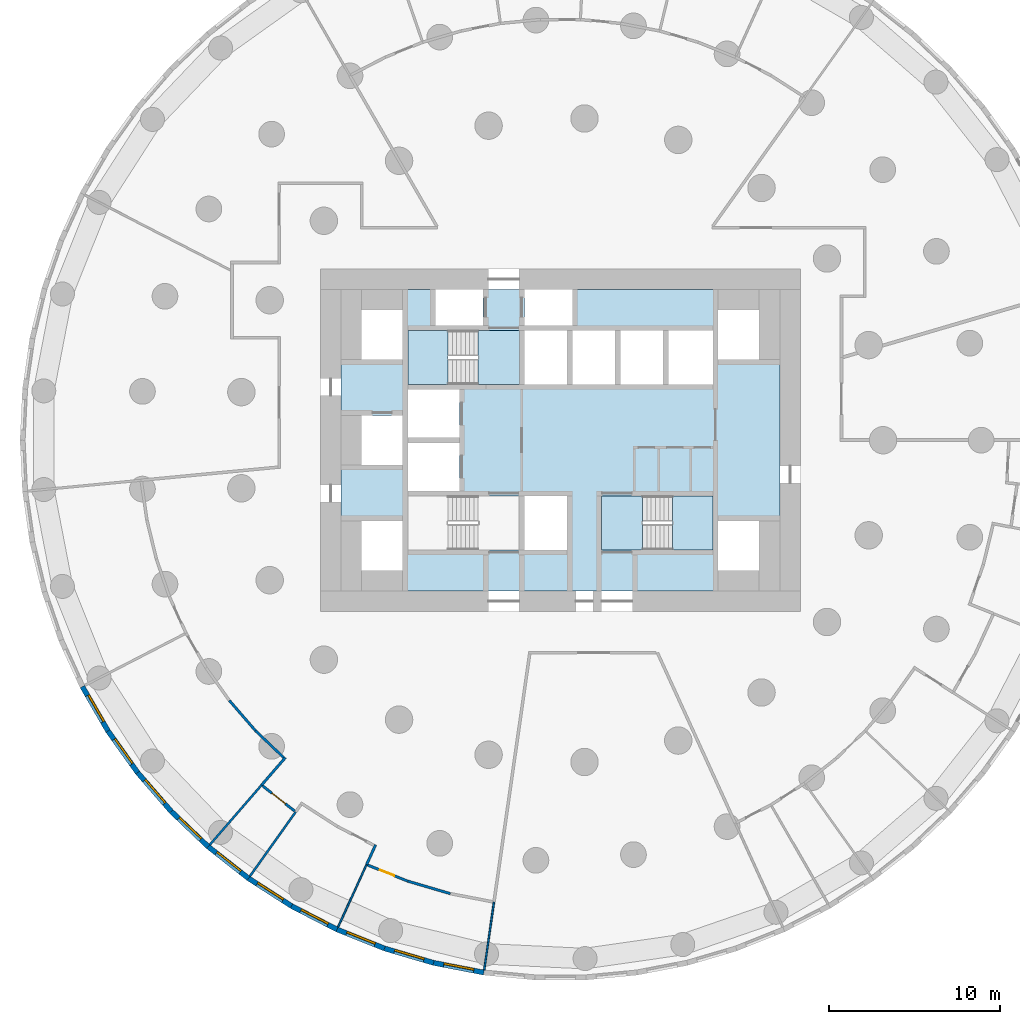
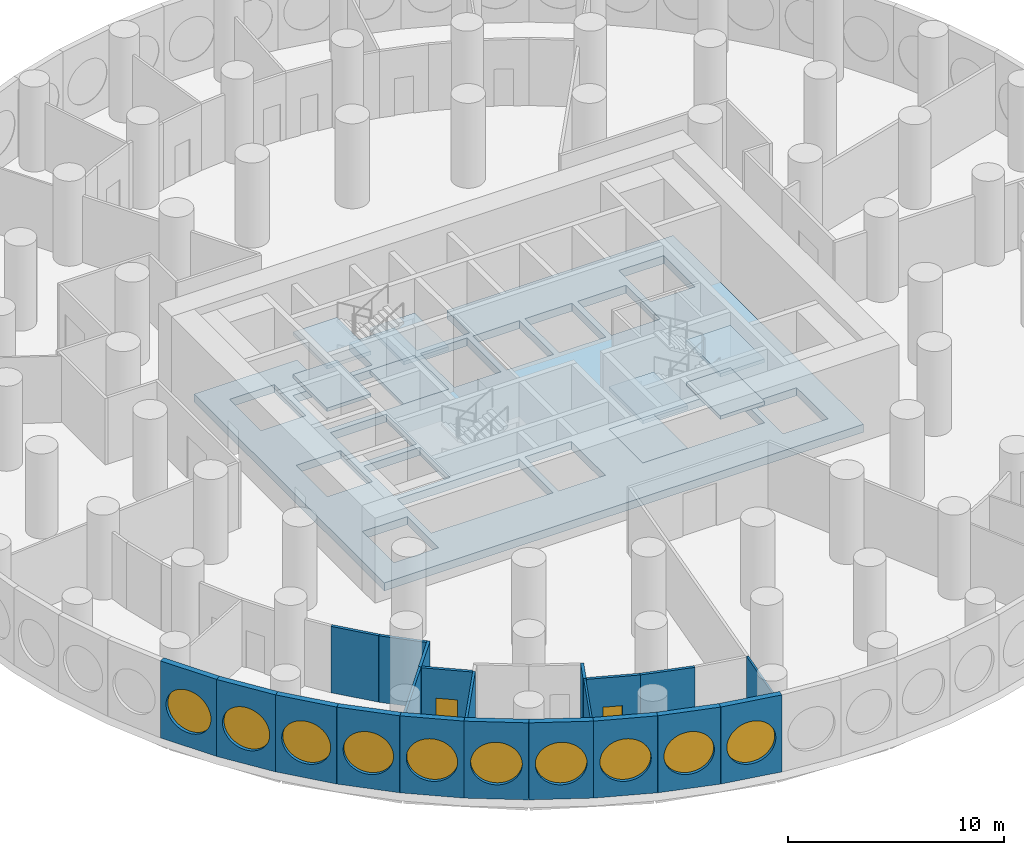
# One storey, part 2 of 11: 21 walls, 10 windows, 9 slabs, 2 doors, 12 openings, 2 elements without a shape of their own.
"""IFC4 building model written with IfcOpenShell, lengths in metres."""

from ifc_helpers import new_model, si_unit, direction, frame, frame_2d, origin, origin_2d, place, context, subcontext, project, spatial, polyline, rectangle, circle, outline, extrude, material, layer, layer_set, type_object, element, fill, aggregate, save


model = new_model("IFC4")

# Units and contexts
model_context = context("Model", 3, precision=1e-05, world=origin(), true_north=direction((0.0, 1.0)))
body_context = subcontext(model_context, "Body", "Model", "MODEL_VIEW")
ifc_project = project(units=[si_unit("LENGTHUNIT", "METRE"), si_unit("AREAUNIT", "SQUARE_METRE"), si_unit("VOLUMEUNIT", "CUBIC_METRE"), si_unit("PLANEANGLEUNIT", "RADIAN"), si_unit("MASSUNIT", "GRAM", prefix="KILO")], contexts=[model_context])

# Site, building, storey
site_placement = place(None, origin())
site = spatial("IfcSite", under=ifc_project, at=site_placement, CompositionType="ELEMENT")
building_placement = place(site_placement, origin())
building = spatial("IfcBuilding", under=site, at=building_placement, Name="Tracery Tower", CompositionType="ELEMENT")
storey_placement = place(building_placement, frame((0.0, 0.0, 18.60009765625)))
storey = spatial("IfcBuildingStorey", under=building, at=storey_placement, Name="L03", CompositionType="ELEMENT", Elevation=18.60009765625)

# Slabs
ifc_material_1 = material(Name="Concrete C60/75", Category="concrete")
ifc_layer_1 = layer(ifc_material_1, 0.449951171875)
ifc_layer_set_1 = layer_set([ifc_layer_1], Name="Core floor slab 450 C60")
slab_type_1 = type_object("IfcSlabType", Name="Core floor slab 450 C60", PredefinedType="FLOOR", material=ifc_layer_set_1)
slab_1_placement = place(storey_placement, frame((0.0, 0.0, -0.4501953125)))
element("IfcSlab", 1, at=slab_1_placement, inside=storey, type_object=slab_type_1, Name="L03 core floor 1", PredefinedType="FLOOR", context=body_context, shape_type="SweptSolid", body=[
    extrude(outline(polyline([(-12.800048828125, 8.800048828125), (-7.300048828125, 8.800048828125), (-7.300048828125, 6.699951171875), (-4.5, 6.699951171875), (-4.5, 8.800048828125), (-2.10009765625, 8.800048828125), (-2.10009765625, 6.699951171875), (0.699951171875, 6.699951171875), (0.699951171875, 8.800048828125), (12.800048828125, 8.800048828125), (12.800048828125, -8.800048828125), (-12.800048828125, -8.800048828125), (-12.800048828125, 8.800048828125)]), holes=[polyline([(11.60009765625, -7.60009765625), (11.60009765625, -4.699951171875), (9.199951171875, -4.699951171875), (9.199951171875, -7.60009765625), (11.60009765625, -7.60009765625)]), polyline([(11.60009765625, 4.699951171875), (11.60009765625, 7.60009765625), (9.199951171875, 7.60009765625), (9.199951171875, 4.699951171875), (11.60009765625, 4.699951171875)]), polyline([(2.39990234375, -6.39990234375), (8.89990234375, -6.39990234375), (8.89990234375, -3.25), (2.39990234375, -3.25), (2.39990234375, -6.39990234375)]), polyline([(6.300048828125, 3.25), (8.89990234375, 3.25), (8.89990234375, 6.39990234375), (6.300048828125, 6.39990234375), (6.300048828125, 3.25)]), polyline([(3.5, 3.25), (6.0, 3.25), (6.0, 6.39990234375), (3.5, 6.39990234375), (3.5, 3.25)]), polyline([(3.199951171875, 3.25), (3.199951171875, 6.39990234375), (0.699951171875, 6.39990234375), (0.699951171875, 3.25), (3.199951171875, 3.25)]), polyline([(-2.10009765625, 3.25), (0.39990234375, 3.25), (0.39990234375, 6.39990234375), (-2.10009765625, 6.39990234375), (-2.10009765625, 3.25)]), polyline([(0.39990234375, -6.39990234375), (0.39990234375, -3.25), (-2.10009765625, -3.25), (-2.10009765625, -6.39990234375), (0.39990234375, -6.39990234375)]), polyline([(-2.39990234375, -6.39990234375), (-2.39990234375, -3.25), (-8.89990234375, -3.25), (-8.89990234375, -6.39990234375), (-2.39990234375, -6.39990234375)]), polyline([(-2.39990234375, 3.25), (-2.39990234375, 6.39990234375), (-8.89990234375, 6.39990234375), (-8.89990234375, 3.25), (-2.39990234375, 3.25)]), polyline([(-8.89990234375, -2.949951171875), (-5.89990234375, -2.949951171875), (-5.89990234375, -0.14990234375), (-8.89990234375, -0.14990234375), (-8.89990234375, -2.949951171875)]), polyline([(-5.89990234375, 0.14990234375), (-5.89990234375, 2.949951171875), (-8.89990234375, 2.949951171875), (-8.89990234375, 0.14990234375), (-5.89990234375, 0.14990234375)]), polyline([(-11.60009765625, 4.699951171875), (-9.199951171875, 4.699951171875), (-9.199951171875, 7.60009765625), (-11.60009765625, 7.60009765625), (-11.60009765625, 4.699951171875)]), polyline([(-9.199951171875, -7.60009765625), (-9.199951171875, -4.699951171875), (-11.60009765625, -4.699951171875), (-11.60009765625, -7.60009765625), (-9.199951171875, -7.60009765625)]), polyline([(-9.199951171875, -1.449951171875), (-9.199951171875, 1.449951171875), (-11.60009765625, 1.449951171875), (-11.60009765625, -1.449951171875), (-9.199951171875, -1.449951171875)])]), origin(), (0.0, 0.0, 1.0), 0.4501953125),
])
ifc_material_2 = material(Name="Concrete C32/40", Category="concrete")
ifc_layer_2 = layer(ifc_material_2, 0.199951171875)
ifc_layer_set_2 = layer_set([ifc_layer_2], Name="Stair landing slab 200")
slab_type_2 = type_object("IfcSlabType", Name="Stair landing slab 200", PredefinedType="LANDING", material=ifc_layer_set_2)
slab_2_placement = place(storey_placement, frame((0.0, 0.0, -0.2001953125)))
element("IfcSlab", 2, at=slab_2_placement, inside=storey, type_object=slab_type_2, Name="L03 stair ST3 floor landing", PredefinedType="LANDING", context=body_context, shape_type="SweptSolid", body=[
    extrude(outline(polyline([(-2.39990234375, 6.39990234375), (-4.800537109375, 6.39990234375), (-4.800537109375, 3.25), (-2.39990234375, 3.25), (-2.39990234375, 6.39990234375)])), origin(), (0.0, 0.0, 1.0), 0.2001953125),
])
slab_3_placement = place(storey_placement, frame((0.0, 0.0, -0.2001953125)))
element("IfcSlab", 3, at=slab_3_placement, inside=storey, type_object=slab_type_2, Name="L03 stair ST2 floor landing", PredefinedType="LANDING", context=body_context, shape_type="SweptSolid", body=[
    extrude(outline(polyline([(2.39990234375, -6.39990234375), (4.800537109375, -6.39990234375), (4.800537109375, -3.25), (2.39990234375, -3.25), (2.39990234375, -6.39990234375)])), origin(), (0.0, 0.0, 1.0), 0.2001953125),
])

# Stair, slabs
ifc_material_3 = material(Name="Concrete C32/40", Category="concrete")
stair_type = type_object("IfcStairType", Name="Core stair 32 risers", PredefinedType="HALF_TURN_STAIR", material=ifc_material_3)
stair_1_placement = place(storey_placement, origin())
stair_1 = element("IfcStair", 4, at=stair_1_placement, inside=storey, type_object=stair_type, Name="L03 stair ST3", PredefinedType="HALF_TURN_STAIR")
slab_4_placement = place(storey_placement, frame((0.0, 0.0, 1.0)))
slab_4 = element("IfcSlab", 5, at=slab_4_placement, type_object=slab_type_2, Name="ST3 landing 1", PredefinedType="LANDING", context=body_context, shape_type="SweptSolid", body=[
    extrude(outline(polyline([(-6.54931640625, 6.39990234375), (-8.89990234375, 6.39990234375), (-8.89990234375, 3.25), (-6.54931640625, 3.25), (-6.54931640625, 6.39990234375)])), origin(), (0.0, 0.0, 1.0), 0.199951171875),
])
slab_5_placement = place(storey_placement, frame((0.0, 0.0, 2.199951171875)))
slab_5 = element("IfcSlab", 6, at=slab_5_placement, type_object=slab_type_2, Name="ST3 landing 2", PredefinedType="LANDING", context=body_context, shape_type="SweptSolid", body=[
    extrude(outline(polyline([(-2.39990234375, 6.39990234375), (-4.800537109375, 6.39990234375), (-4.800537109375, 3.25), (-2.39990234375, 3.25), (-2.39990234375, 6.39990234375)])), origin(), (0.0, 0.0, 1.0), 0.199951171875),
])
slab_6_placement = place(storey_placement, frame((0.0, 0.0, 3.39990234375)))
slab_6 = element("IfcSlab", 7, at=slab_6_placement, type_object=slab_type_2, Name="ST3 landing 3", PredefinedType="LANDING", context=body_context, shape_type="SweptSolid", body=[
    extrude(outline(polyline([(-6.54931640625, 6.39990234375), (-8.89990234375, 6.39990234375), (-8.89990234375, 3.25), (-6.54931640625, 3.25), (-6.54931640625, 6.39990234375)])), origin(), (0.0, 0.0, 1.0), 0.199951171875),
])
aggregate(stair_1, [slab_4, slab_5, slab_6])

stair_2_placement = place(storey_placement, origin())
stair_2 = element("IfcStair", 8, at=stair_2_placement, inside=storey, type_object=stair_type, Name="L03 stair ST2", PredefinedType="HALF_TURN_STAIR")
slab_7_placement = place(storey_placement, frame((0.0, 0.0, 1.0)))
slab_7 = element("IfcSlab", 9, at=slab_7_placement, type_object=slab_type_2, Name="ST2 landing 1", PredefinedType="LANDING", context=body_context, shape_type="SweptSolid", body=[
    extrude(outline(polyline([(6.54931640625, -6.39990234375), (8.89990234375, -6.39990234375), (8.89990234375, -3.25), (6.54931640625, -3.25), (6.54931640625, -6.39990234375)])), origin(), (0.0, 0.0, 1.0), 0.199951171875),
])
slab_8_placement = place(storey_placement, frame((0.0, 0.0, 2.199951171875)))
slab_8 = element("IfcSlab", 10, at=slab_8_placement, type_object=slab_type_2, Name="ST2 landing 2", PredefinedType="LANDING", context=body_context, shape_type="SweptSolid", body=[
    extrude(outline(polyline([(2.39990234375, -6.39990234375), (4.800537109375, -6.39990234375), (4.800537109375, -3.25), (2.39990234375, -3.25), (2.39990234375, -6.39990234375)])), origin(), (0.0, 0.0, 1.0), 0.199951171875),
])
slab_9_placement = place(storey_placement, frame((0.0, 0.0, 3.39990234375)))
slab_9 = element("IfcSlab", 11, at=slab_9_placement, type_object=slab_type_2, Name="ST2 landing 3", PredefinedType="LANDING", context=body_context, shape_type="SweptSolid", body=[
    extrude(outline(polyline([(6.54931640625, -6.39990234375), (8.89990234375, -6.39990234375), (8.89990234375, -3.25), (6.54931640625, -3.25), (6.54931640625, -6.39990234375)])), origin(), (0.0, 0.0, 1.0), 0.199951171875),
])
aggregate(stair_2, [slab_7, slab_8, slab_9])

# Walls
ifc_material_4 = material(Name="Plasterboard on steel studs", Category="steel")
ifc_layer_3 = layer(ifc_material_4, 0.14990234375)
ifc_layer_set_3 = layer_set([ifc_layer_3], Name="Corridor partition 150")
wall_type_1 = type_object("IfcWallType", Name="Corridor partition 150", PredefinedType="PARTITIONING", material=ifc_layer_set_3)
wall_1_placement = place(storey_placement, frame((-19.310791015625, -15.18603515625, 0.0), z_axis=(0.0, 0.0, 1.0), x_axis=(0.654866925236, -0.755744209526, 0.0)))
element("IfcWall", 12, at=wall_1_placement, inside=storey, type_object=wall_type_1, Name="Corridor partition 150", PredefinedType="PARTITIONING", context=body_context, shape_type="SweptSolid", body=[
    extrude(rectangle(XDim=2.337890625, YDim=0.14990234375, at=frame_2d((1.1689453125, 0.0))), origin(), (0.0, 0.0, 1.0), 3.75),
])
wall_2_placement = place(storey_placement, frame((-17.77978515625, -16.952880859375, 0.0), z_axis=(0.0, 0.0, 1.0), x_axis=(0.723737544967, -0.690075333573, 0.0)))
element("IfcWall", 13, at=wall_2_placement, inside=storey, type_object=wall_type_1, Name="Corridor partition 150", PredefinedType="PARTITIONING", context=body_context, shape_type="SweptSolid", body=[
    extrude(rectangle(XDim=2.262939453125, YDim=0.14990234375, at=frame_2d((1.13134765625, 0.0))), origin(), (0.0, 0.0, 1.0), 3.75),
])
wall_3_placement = place(storey_placement, frame((-17.431884765625, -20.1171875, 0.0), z_axis=(0.0, 0.0, 1.0), x_axis=(0.654864995974, 0.755745881264, 0.0)))
element("IfcWall", 14, at=wall_3_placement, inside=storey, type_object=wall_type_1, Name="Corridor partition 150", PredefinedType="PARTITIONING", context=body_context, shape_type="SweptSolid", body=[
    extrude(rectangle(XDim=2.127197265625, YDim=0.14990234375, at=frame_2d((1.0634765625, 0.0))), origin(), (0.0, 0.0, 1.0), 3.75),
])

# Wall, opening, door
wall_4_placement = place(storey_placement, frame((-15.49951171875, -21.63671875, 0.0), z_axis=(0.0, 0.0, 1.0), x_axis=(-0.786108543129, 0.618088471353, 0.0)))
wall_4 = element("IfcWall", 15, at=wall_4_placement, inside=storey, type_object=wall_type_1, Name="Corridor partition 150", PredefinedType="PARTITIONING", context=body_context, shape_type="SweptSolid", body=[
    extrude(rectangle(XDim=2.383056640625, YDim=0.14990234375, at=frame_2d((1.19140625, 0.0))), origin(), (0.0, 0.0, 1.0), 3.75),
])
opening_1_placement = place(wall_4_placement, frame((0.69140625, 0.0, 0.0)))
opening_1 = element("IfcOpeningElement", 16, at=opening_1_placement, cuts=wall_4, Name="Opening SB-L03-13", PredefinedType="OPENING", context=body_context, shape_type="SweptSolid", body=[
    extrude(rectangle(XDim=1.0, YDim=2.10009765625, at=frame_2d((0.5, 1.050048828125))), frame((0.0, 0.074951171875, 0.0), z_axis=(0.0, -1.0, 0.0), x_axis=(1.0, 0.0, 0.0)), (0.0, 0.0, 1.0), 0.14990234375),
])
ifc_material_5 = material(Name="Timber door leaf", Category="wood")
door_type_1 = type_object("IfcDoorType", Name="Accessible toilet door 1000", OperationType="NOTDEFINED", PredefinedType="DOOR", material=ifc_material_5)
door_1_placement = place(opening_1_placement, origin())
door_1 = element("IfcDoor", 17, at=door_1_placement, inside=storey, type_object=door_type_1, Name="Accessible toilet door 1000", OperationType="SINGLE_SWING_RIGHT", OverallHeight=2.10009765625, OverallWidth=1.0, PredefinedType="DOOR", context=body_context, shape_type="SweptSolid", body=[
    extrude(rectangle(XDim=1.0, YDim=2.10009765625, at=frame_2d((0.5, 1.050048828125))), frame((0.0, 0.02490234375, 0.0), z_axis=(0.0, -1.0, 0.0), x_axis=(1.0, 0.0, 0.0)), (0.0, 0.0, 1.0), 0.050048828125),
])
fill(opening_1, door_1)

# Wall
wall_5_placement = place(storey_placement, frame((-11.3076171875, -24.760009765625, 0.0), z_axis=(0.0, 0.0, 1.0), x_axis=(0.415574447144, 0.909559167334, 0.0)))
element("IfcWall", 18, at=wall_5_placement, inside=storey, type_object=wall_type_1, Name="Corridor partition 150", PredefinedType="PARTITIONING", context=body_context, shape_type="SweptSolid", body=[
    extrude(rectangle(XDim=1.276611328125, YDim=0.14990234375, at=frame_2d((0.63818359375, 0.0))), origin(), (0.0, 0.0, 1.0), 3.75),
])

# Wall, opening, door
wall_6_placement = place(storey_placement, frame((-8.902587890625, -25.72265625, 0.0), z_axis=(0.0, 0.0, 1.0), x_axis=(-0.928376250344, 0.371641679306, 0.0)))
wall_6 = element("IfcWall", 19, at=wall_6_placement, inside=storey, type_object=wall_type_1, Name="Corridor partition 150", PredefinedType="PARTITIONING", context=body_context, shape_type="SweptSolid", body=[
    extrude(rectangle(XDim=2.515380859375, YDim=0.14990234375, at=frame_2d((1.2578125, 0.0))), origin(), (0.0, 0.0, 1.0), 3.75),
])
opening_2_placement = place(wall_6_placement, frame((0.84521484375, 0.0, 0.0)))
opening_2 = element("IfcOpeningElement", 20, at=opening_2_placement, cuts=wall_6, Name="Opening SB-L03-15", PredefinedType="OPENING", context=body_context, shape_type="SweptSolid", body=[
    extrude(rectangle(XDim=0.89990234375, YDim=2.10009765625, at=frame_2d((0.449951171875, 1.050048828125))), frame((0.0, 0.074951171875, 0.0), z_axis=(0.0, -1.0, 0.0), x_axis=(1.0, 0.0, 0.0)), (0.0, 0.0, 1.0), 0.14990234375),
])
ifc_material_6 = material(Name="Steel fire door", Category="steel")
door_type_2 = type_object("IfcDoorType", Name="Store door 900", OperationType="NOTDEFINED", PredefinedType="DOOR", material=ifc_material_6)
door_2_placement = place(opening_2_placement, origin())
door_2 = element("IfcDoor", 21, at=door_2_placement, inside=storey, type_object=door_type_2, Name="Store door 900", OperationType="SINGLE_SWING_RIGHT", OverallHeight=2.10009765625, OverallWidth=0.89990234375, PredefinedType="DOOR", context=body_context, shape_type="SweptSolid", body=[
    extrude(rectangle(XDim=0.89990234375, YDim=2.10009765625, at=frame_2d((0.449951171875, 1.050048828125))), frame((0.0, 0.02490234375, 0.0), z_axis=(0.0, -1.0, 0.0), x_axis=(1.0, 0.0, 0.0)), (0.0, 0.0, 1.0), 0.050048828125),
])
fill(opening_2, door_2)

# Wall
wall_7_placement = place(storey_placement, frame((-8.902587890625, -25.72265625, 0.0), z_axis=(0.0, 0.0, 1.0), x_axis=(0.959495972334, -0.28172234394, 0.0)))
element("IfcWall", 22, at=wall_7_placement, inside=storey, type_object=wall_type_1, Name="Corridor partition 150", PredefinedType="PARTITIONING", context=body_context, shape_type="SweptSolid", body=[
    extrude(rectangle(XDim=2.59033203125, YDim=0.14990234375, at=frame_2d((1.295166015625, 0.0))), origin(), (0.0, 0.0, 1.0), 3.75),
])

# Wall, opening, window
ifc_material_7 = material(Name="Precast concrete C50/60", Category="concrete")
ifc_layer_4 = layer(ifc_material_7, 0.300048828125)
ifc_layer_set_4 = layer_set([ifc_layer_4], Name="Facade panel 3000 x 4350")
wall_type_2 = type_object("IfcWallType", Name="Facade panel 3000 x 4350", PredefinedType="SOLIDWALL", material=ifc_layer_set_4)
wall_8_placement = place(storey_placement, frame((-27.88671875, -14.376708984375, 0.0), z_axis=(0.0, 0.0, 1.0), x_axis=(0.500017373705, -0.866015372839, 0.0)))
wall_8 = element("IfcWall", 23, at=wall_8_placement, inside=storey, type_object=wall_type_2, Name="Facade panel 39 at L03", PredefinedType="SOLIDWALL", context=body_context, shape_type="SweptSolid", body=[
    extrude(rectangle(XDim=2.98583984375, YDim=0.300048828125, at=frame_2d((1.492919921875, 0.0))), origin(), (0.0, 0.0, 1.0), 4.349853515625),
])
opening_3_placement = place(wall_8_placement, frame((1.492919921875, 0.0, 2.0)))
opening_3 = element("IfcOpeningElement", 24, at=opening_3_placement, cuts=wall_8, Name="Opening WN2", PredefinedType="OPENING", context=body_context, shape_type="SweptSolid", body=[
    extrude(circle(Radius=1.199951171875, at=origin_2d()), frame((0.0, 0.159912109375, 0.0), z_axis=(0.0, -1.0, 0.0), x_axis=(1.0, 0.0, 0.0)), (0.0, 0.0, 1.0), 0.320068359375),
])
ifc_material_8 = material(Name="Aluminium frame with tinted double glazing", Category="aluminium")
window_type = type_object("IfcWindowType", Name="Round window 2400", PartitioningType="SINGLE_PANEL", PredefinedType="WINDOW", material=ifc_material_8)
window_1_placement = place(opening_3_placement, origin())
window_1 = element("IfcWindow", 25, at=window_1_placement, inside=storey, type_object=window_type, Name="Round window 39 at L03", OverallHeight=2.39990234375, OverallWidth=2.39990234375, PartitioningType="SINGLE_PANEL", PredefinedType="WINDOW", context=body_context, shape_type="SweptSolid", body=[
    extrude(circle(Radius=1.199951171875, at=origin_2d()), frame((0.0, 0.1201171875, 0.0), z_axis=(0.0, -1.0, 0.0), x_axis=(1.0, 0.0, 0.0)), (0.0, 0.0, 1.0), 0.10009765625),
])
fill(opening_3, window_1)

wall_9_placement = place(storey_placement, frame((-26.393798828125, -16.96240234375, 0.0), z_axis=(0.0, 0.0, 1.0), x_axis=(0.580100533892, -0.814544885551, 0.0)))
wall_9 = element("IfcWall", 26, at=wall_9_placement, inside=storey, type_object=wall_type_2, Name="Facade panel 40 at L03", PredefinedType="SOLIDWALL", context=body_context, shape_type="SweptSolid", body=[
    extrude(rectangle(XDim=2.985595703125, YDim=0.300048828125, at=frame_2d((1.49267578125, 0.0))), origin(), (0.0, 0.0, 1.0), 4.349853515625),
])
opening_4_placement = place(wall_9_placement, frame((1.492919921875, 0.0, 2.0)))
opening_4 = element("IfcOpeningElement", 27, at=opening_4_placement, cuts=wall_9, Name="Opening WN2", PredefinedType="OPENING", context=body_context, shape_type="SweptSolid", body=[
    extrude(circle(Radius=1.199951171875, at=origin_2d()), frame((0.0, 0.159912109375, 0.0), z_axis=(0.0, -1.0, 0.0), x_axis=(1.0, 0.0, 0.0)), (0.0, 0.0, 1.0), 0.320068359375),
])
window_2_placement = place(opening_4_placement, origin())
window_2 = element("IfcWindow", 28, at=window_2_placement, inside=storey, type_object=window_type, Name="Round window 40 at L03", OverallHeight=2.39990234375, OverallWidth=2.39990234375, PartitioningType="SINGLE_PANEL", PredefinedType="WINDOW", context=body_context, shape_type="SweptSolid", body=[
    extrude(circle(Radius=1.199951171875, at=origin_2d()), frame((0.0, 0.1201171875, 0.0), z_axis=(0.0, -1.0, 0.0), x_axis=(1.0, 0.0, 0.0)), (0.0, 0.0, 1.0), 0.10009765625),
])
fill(opening_4, window_2)

wall_10_placement = place(storey_placement, frame((-24.661865234375, -19.394287109375, 0.0), z_axis=(0.0, 0.0, 1.0), x_axis=(0.654809121128, -0.755794294029, 0.0)))
wall_10 = element("IfcWall", 29, at=wall_10_placement, inside=storey, type_object=wall_type_2, Name="Facade panel 41 at L03", PredefinedType="SOLIDWALL", context=body_context, shape_type="SweptSolid", body=[
    extrude(rectangle(XDim=2.98583984375, YDim=0.300048828125, at=frame_2d((1.492919921875, 0.0))), origin(), (0.0, 0.0, 1.0), 4.349853515625),
])
opening_5_placement = place(wall_10_placement, frame((1.492919921875, 0.0, 2.0)))
opening_5 = element("IfcOpeningElement", 30, at=opening_5_placement, cuts=wall_10, Name="Opening WN2", PredefinedType="OPENING", context=body_context, shape_type="SweptSolid", body=[
    extrude(circle(Radius=1.199951171875, at=origin_2d()), frame((0.0, 0.159912109375, 0.0), z_axis=(0.0, -1.0, 0.0), x_axis=(1.0, 0.0, 0.0)), (0.0, 0.0, 1.0), 0.320068359375),
])
window_3_placement = place(opening_5_placement, origin())
window_3 = element("IfcWindow", 31, at=window_3_placement, inside=storey, type_object=window_type, Name="Round window 41 at L03", OverallHeight=2.39990234375, OverallWidth=2.39990234375, PartitioningType="SINGLE_PANEL", PredefinedType="WINDOW", context=body_context, shape_type="SweptSolid", body=[
    extrude(circle(Radius=1.199951171875, at=origin_2d()), frame((0.0, 0.1201171875, 0.0), z_axis=(0.0, -1.0, 0.0), x_axis=(1.0, 0.0, 0.0)), (0.0, 0.0, 1.0), 0.10009765625),
])
fill(opening_5, window_3)

wall_11_placement = place(storey_placement, frame((-22.706787109375, -21.65087890625, 0.0), z_axis=(0.0, 0.0, 1.0), x_axis=(0.723750841228, -0.690061388444, 0.0)))
wall_11 = element("IfcWall", 32, at=wall_11_placement, inside=storey, type_object=wall_type_2, Name="Facade panel 42 at L03", PredefinedType="SOLIDWALL", context=body_context, shape_type="SweptSolid", body=[
    extrude(rectangle(XDim=2.985595703125, YDim=0.300048828125, at=frame_2d((1.49267578125, 0.0))), origin(), (0.0, 0.0, 1.0), 4.349853515625),
])
opening_6_placement = place(wall_11_placement, frame((1.492919921875, 0.0, 2.0)))
opening_6 = element("IfcOpeningElement", 33, at=opening_6_placement, cuts=wall_11, Name="Opening WN2", PredefinedType="OPENING", context=body_context, shape_type="SweptSolid", body=[
    extrude(circle(Radius=1.199951171875, at=origin_2d()), frame((0.0, 0.159912109375, 0.0), z_axis=(0.0, -1.0, 0.0), x_axis=(1.0, 0.0, 0.0)), (0.0, 0.0, 1.0), 0.320068359375),
])
window_4_placement = place(opening_6_placement, origin())
window_4 = element("IfcWindow", 34, at=window_4_placement, inside=storey, type_object=window_type, Name="Round window 42 at L03", OverallHeight=2.39990234375, OverallWidth=2.39990234375, PartitioningType="SINGLE_PANEL", PredefinedType="WINDOW", context=body_context, shape_type="SweptSolid", body=[
    extrude(circle(Radius=1.199951171875, at=origin_2d()), frame((0.0, 0.1201171875, 0.0), z_axis=(0.0, -1.0, 0.0), x_axis=(1.0, 0.0, 0.0)), (0.0, 0.0, 1.0), 0.10009765625),
])
fill(opening_6, window_4)

wall_12_placement = place(storey_placement, frame((-20.5458984375, -23.711181640625, 0.0), z_axis=(0.0, 0.0, 1.0), x_axis=(0.786043032847, -0.618171780747, 0.0)))
wall_12 = element("IfcWall", 35, at=wall_12_placement, inside=storey, type_object=wall_type_2, Name="Facade panel 43 at L03", PredefinedType="SOLIDWALL", context=body_context, shape_type="SweptSolid", body=[
    extrude(rectangle(XDim=2.98583984375, YDim=0.300048828125, at=frame_2d((1.492919921875, 0.0))), origin(), (0.0, 0.0, 1.0), 4.349853515625),
])
opening_7_placement = place(wall_12_placement, frame((1.492919921875, 0.0, 2.0)))
opening_7 = element("IfcOpeningElement", 36, at=opening_7_placement, cuts=wall_12, Name="Opening WN2", PredefinedType="OPENING", context=body_context, shape_type="SweptSolid", body=[
    extrude(circle(Radius=1.199951171875, at=origin_2d()), frame((0.0, 0.159912109375, 0.0), z_axis=(0.0, -1.0, 0.0), x_axis=(1.0, 0.0, 0.0)), (0.0, 0.0, 1.0), 0.320068359375),
])
window_5_placement = place(opening_7_placement, origin())
window_5 = element("IfcWindow", 37, at=window_5_placement, inside=storey, type_object=window_type, Name="Round window 43 at L03", OverallHeight=2.39990234375, OverallWidth=2.39990234375, PartitioningType="SINGLE_PANEL", PredefinedType="WINDOW", context=body_context, shape_type="SweptSolid", body=[
    extrude(circle(Radius=1.199951171875, at=origin_2d()), frame((0.0, 0.1201171875, 0.0), z_axis=(0.0, -1.0, 0.0), x_axis=(1.0, 0.0, 0.0)), (0.0, 0.0, 1.0), 0.10009765625),
])
fill(opening_7, window_5)

wall_13_placement = place(storey_placement, frame((-18.198974609375, -25.556884765625, 0.0), z_axis=(0.0, 0.0, 1.0), x_axis=(0.841242231846, -0.540658401727, 0.0)))
wall_13 = element("IfcWall", 38, at=wall_13_placement, inside=storey, type_object=wall_type_2, Name="Facade panel 44 at L03", PredefinedType="SOLIDWALL", context=body_context, shape_type="SweptSolid", body=[
    extrude(rectangle(XDim=2.98583984375, YDim=0.300048828125, at=frame_2d((1.492919921875, 0.0))), origin(), (0.0, 0.0, 1.0), 4.349853515625),
])
opening_8_placement = place(wall_13_placement, frame((1.492919921875, 0.0, 2.0)))
opening_8 = element("IfcOpeningElement", 39, at=opening_8_placement, cuts=wall_13, Name="Opening WN2", PredefinedType="OPENING", context=body_context, shape_type="SweptSolid", body=[
    extrude(circle(Radius=1.199951171875, at=origin_2d()), frame((0.0, 0.159912109375, 0.0), z_axis=(0.0, -1.0, 0.0), x_axis=(1.0, 0.0, 0.0)), (0.0, 0.0, 1.0), 0.320068359375),
])
window_6_placement = place(opening_8_placement, origin())
window_6 = element("IfcWindow", 40, at=window_6_placement, inside=storey, type_object=window_type, Name="Round window 44 at L03", OverallHeight=2.39990234375, OverallWidth=2.39990234375, PartitioningType="SINGLE_PANEL", PredefinedType="WINDOW", context=body_context, shape_type="SweptSolid", body=[
    extrude(circle(Radius=1.199951171875, at=origin_2d()), frame((0.0, 0.1201171875, 0.0), z_axis=(0.0, -1.0, 0.0), x_axis=(1.0, 0.0, 0.0)), (0.0, 0.0, 1.0), 0.10009765625),
])
fill(opening_8, window_6)

wall_14_placement = place(storey_placement, frame((-15.687255859375, -27.171142578125, 0.0), z_axis=(0.0, 0.0, 1.0), x_axis=(0.888831268481, -0.458234630043, 0.0)))
wall_14 = element("IfcWall", 41, at=wall_14_placement, inside=storey, type_object=wall_type_2, Name="Facade panel 45 at L03", PredefinedType="SOLIDWALL", context=body_context, shape_type="SweptSolid", body=[
    extrude(rectangle(XDim=2.98583984375, YDim=0.300048828125, at=frame_2d((1.492919921875, 0.0))), origin(), (0.0, 0.0, 1.0), 4.349853515625),
])
opening_9_placement = place(wall_14_placement, frame((1.492919921875, 0.0, 2.0)))
opening_9 = element("IfcOpeningElement", 42, at=opening_9_placement, cuts=wall_14, Name="Opening WN2", PredefinedType="OPENING", context=body_context, shape_type="SweptSolid", body=[
    extrude(circle(Radius=1.199951171875, at=origin_2d()), frame((0.0, 0.159912109375, 0.0), z_axis=(0.0, -1.0, 0.0), x_axis=(1.0, 0.0, 0.0)), (0.0, 0.0, 1.0), 0.320068359375),
])
window_7_placement = place(opening_9_placement, origin())
window_7 = element("IfcWindow", 43, at=window_7_placement, inside=storey, type_object=window_type, Name="Round window 45 at L03", OverallHeight=2.39990234375, OverallWidth=2.39990234375, PartitioningType="SINGLE_PANEL", PredefinedType="WINDOW", context=body_context, shape_type="SweptSolid", body=[
    extrude(circle(Radius=1.199951171875, at=origin_2d()), frame((0.0, 0.1201171875, 0.0), z_axis=(0.0, -1.0, 0.0), x_axis=(1.0, 0.0, 0.0)), (0.0, 0.0, 1.0), 0.10009765625),
])
fill(opening_9, window_7)

wall_15_placement = place(storey_placement, frame((-13.033447265625, -28.539306640625, 0.0), z_axis=(0.0, 0.0, 1.0), x_axis=(0.928380795373, -0.371630325434, 0.0)))
wall_15 = element("IfcWall", 44, at=wall_15_placement, inside=storey, type_object=wall_type_2, Name="Facade panel 46 at L03", PredefinedType="SOLIDWALL", context=body_context, shape_type="SweptSolid", body=[
    extrude(rectangle(XDim=2.98583984375, YDim=0.300048828125, at=frame_2d((1.492919921875, 0.0))), origin(), (0.0, 0.0, 1.0), 4.349853515625),
])
opening_10_placement = place(wall_15_placement, frame((1.492919921875, 0.0, 2.0)))
opening_10 = element("IfcOpeningElement", 45, at=opening_10_placement, cuts=wall_15, Name="Opening WN2", PredefinedType="OPENING", context=body_context, shape_type="SweptSolid", body=[
    extrude(circle(Radius=1.199951171875, at=origin_2d()), frame((0.0, 0.159912109375, 0.0), z_axis=(0.0, -1.0, 0.0), x_axis=(1.0, 0.0, 0.0)), (0.0, 0.0, 1.0), 0.320068359375),
])
window_8_placement = place(opening_10_placement, origin())
window_8 = element("IfcWindow", 46, at=window_8_placement, inside=storey, type_object=window_type, Name="Round window 46 at L03", OverallHeight=2.39990234375, OverallWidth=2.39990234375, PartitioningType="SINGLE_PANEL", PredefinedType="WINDOW", context=body_context, shape_type="SweptSolid", body=[
    extrude(circle(Radius=1.199951171875, at=origin_2d()), frame((0.0, 0.1201171875, 0.0), z_axis=(0.0, -1.0, 0.0), x_axis=(1.0, 0.0, 0.0)), (0.0, 0.0, 1.0), 0.10009765625),
])
fill(opening_10, window_8)

wall_16_placement = place(storey_placement, frame((-10.261474609375, -29.64892578125, 0.0), z_axis=(0.0, 0.0, 1.0), x_axis=(0.959502108153, -0.281701445593, 0.0)))
wall_16 = element("IfcWall", 47, at=wall_16_placement, inside=storey, type_object=wall_type_2, Name="Facade panel 47 at L03", PredefinedType="SOLIDWALL", context=body_context, shape_type="SweptSolid", body=[
    extrude(rectangle(XDim=2.985595703125, YDim=0.300048828125, at=frame_2d((1.49267578125, 0.0))), origin(), (0.0, 0.0, 1.0), 4.349853515625),
])
opening_11_placement = place(wall_16_placement, frame((1.492919921875, 0.0, 2.0)))
opening_11 = element("IfcOpeningElement", 48, at=opening_11_placement, cuts=wall_16, Name="Opening WN2", PredefinedType="OPENING", context=body_context, shape_type="SweptSolid", body=[
    extrude(circle(Radius=1.199951171875, at=origin_2d()), frame((0.0, 0.159912109375, 0.0), z_axis=(0.0, -1.0, 0.0), x_axis=(1.0, 0.0, 0.0)), (0.0, 0.0, 1.0), 0.320068359375),
])
window_9_placement = place(opening_11_placement, origin())
window_9 = element("IfcWindow", 49, at=window_9_placement, inside=storey, type_object=window_type, Name="Round window 47 at L03", OverallHeight=2.39990234375, OverallWidth=2.39990234375, PartitioningType="SINGLE_PANEL", PredefinedType="WINDOW", context=body_context, shape_type="SweptSolid", body=[
    extrude(circle(Radius=1.199951171875, at=origin_2d()), frame((0.0, 0.1201171875, 0.0), z_axis=(0.0, -1.0, 0.0), x_axis=(1.0, 0.0, 0.0)), (0.0, 0.0, 1.0), 0.10009765625),
])
fill(opening_11, window_9)

wall_17_placement = place(storey_placement, frame((-7.396728515625, -30.489990234375, 0.0), z_axis=(0.0, 0.0, 1.0), x_axis=(0.981918853666, -0.189302310646, 0.0)))
wall_17 = element("IfcWall", 50, at=wall_17_placement, inside=storey, type_object=wall_type_2, Name="Facade panel 48 at L03", PredefinedType="SOLIDWALL", context=body_context, shape_type="SweptSolid", body=[
    extrude(rectangle(XDim=2.985595703125, YDim=0.300048828125, at=frame_2d((1.49267578125, 0.0))), origin(), (0.0, 0.0, 1.0), 4.349853515625),
])
opening_12_placement = place(wall_17_placement, frame((1.492919921875, 0.0, 2.0)))
opening_12 = element("IfcOpeningElement", 51, at=opening_12_placement, cuts=wall_17, Name="Opening WN2", PredefinedType="OPENING", context=body_context, shape_type="SweptSolid", body=[
    extrude(circle(Radius=1.199951171875, at=origin_2d()), frame((0.0, 0.159912109375, 0.0), z_axis=(0.0, -1.0, 0.0), x_axis=(1.0, 0.0, 0.0)), (0.0, 0.0, 1.0), 0.320068359375),
])
window_10_placement = place(opening_12_placement, origin())
window_10 = element("IfcWindow", 52, at=window_10_placement, inside=storey, type_object=window_type, Name="Round window 48 at L03", OverallHeight=2.39990234375, OverallWidth=2.39990234375, PartitioningType="SINGLE_PANEL", PredefinedType="WINDOW", context=body_context, shape_type="SweptSolid", body=[
    extrude(circle(Radius=1.199951171875, at=origin_2d()), frame((0.0, 0.1201171875, 0.0), z_axis=(0.0, -1.0, 0.0), x_axis=(1.0, 0.0, 0.0)), (0.0, 0.0, 1.0), 0.10009765625),
])
fill(opening_12, window_10)

# Walls
ifc_material_9 = material(Name="Plasterboard on steel studs", Category="steel")
ifc_layer_5 = layer(ifc_material_9, 0.10009765625)
ifc_layer_set_5 = layer_set([ifc_layer_5], Name="Stud partition 100")
wall_type_3 = type_object("IfcWallType", Name="Stud partition 100", PredefinedType="PARTITIONING", material=ifc_layer_set_5)
wall_18_placement = place(storey_placement, frame((-12.970947265625, -28.402587890625, 0.0), z_axis=(0.0, 0.0, 1.0), x_axis=(0.415377899071, 0.909648943804, 0.0)))
element("IfcWall", 53, at=wall_18_placement, inside=storey, type_object=wall_type_3, Name="Stud partition 100", PredefinedType="PARTITIONING", context=body_context, shape_type="SweptSolid", body=[
    extrude(rectangle(XDim=4.00439453125, YDim=0.10009765625, at=frame_2d((2.002197265625, 0.0))), origin(), (0.0, 0.0, 1.0), 3.75),
])
wall_19_placement = place(storey_placement, frame((-4.443603515625, -30.906494140625, 0.0), z_axis=(0.0, 0.0, 1.0), x_axis=(0.142291879115, 0.989824742638, 0.0)))
element("IfcWall", 54, at=wall_19_placement, inside=storey, type_object=wall_type_3, Name="Stud partition 100", PredefinedType="PARTITIONING", context=body_context, shape_type="SweptSolid", body=[
    extrude(rectangle(XDim=4.004638671875, YDim=0.10009765625, at=frame_2d((2.00244140625, 0.0))), origin(), (0.0, 0.0, 1.0), 3.75),
])
ifc_material_10 = material(Name="Plasterboard on steel studs", Category="steel")
ifc_layer_6 = layer(ifc_material_10, 0.125)
ifc_layer_set_6 = layer_set([ifc_layer_6], Name="Wet area partition 125")
wall_type_4 = type_object("IfcWallType", Name="Wet area partition 125", PredefinedType="PARTITIONING", material=ifc_layer_set_6)
for number, where, z_axis, x_axis, name in (
    (55, (-20.447509765625, -23.59765625, 0.0), (0.0, 0.0, 1.0), (0.654833653961, 0.755773038445, 0.0), "Wet area partition 125"),
    (56, (-18.11181640625, -25.4345703125, 0.0), (0.0, 0.0, 1.0), (0.580018951557, 0.814602980497, 0.0), "Wet area partition 125"),
):
    element("IfcWall", number, at=place(storey_placement, frame(where, z_axis=z_axis, x_axis=x_axis)), inside=storey, type_object=wall_type_4, Name=name, PredefinedType="PARTITIONING", context=body_context, shape_type="SweptSolid", body=[
        extrude(rectangle(XDim=4.605224609375, YDim=0.125, at=frame_2d((2.302734375, 0.0))), origin(), (0.0, 0.0, 1.0), 3.75),
    ])

save(model, "model.ifc")
